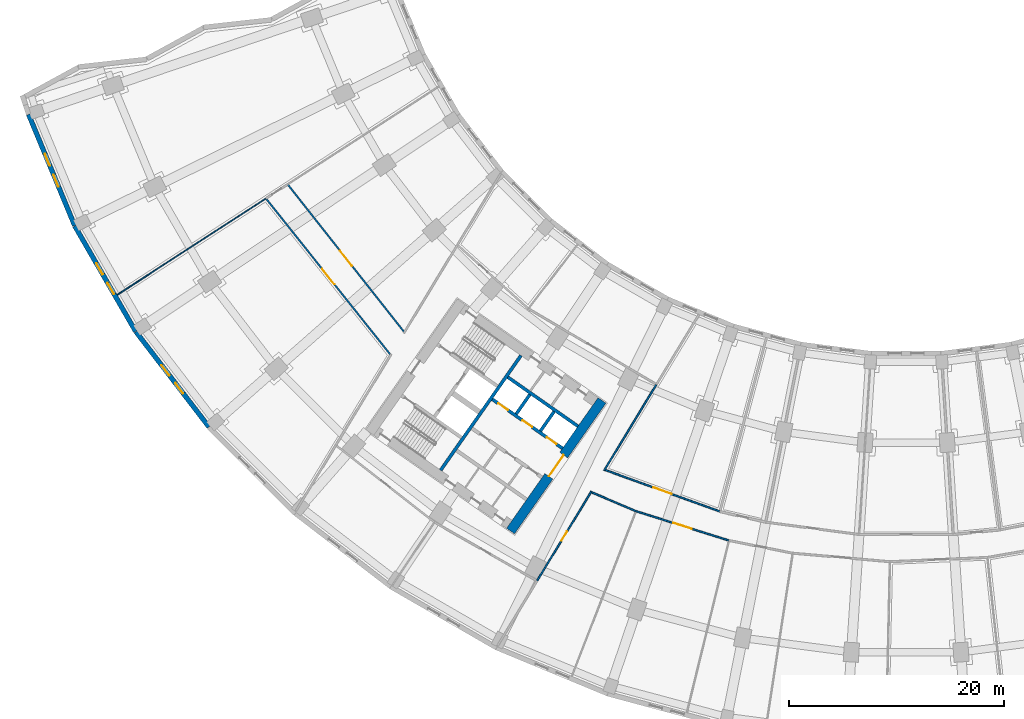
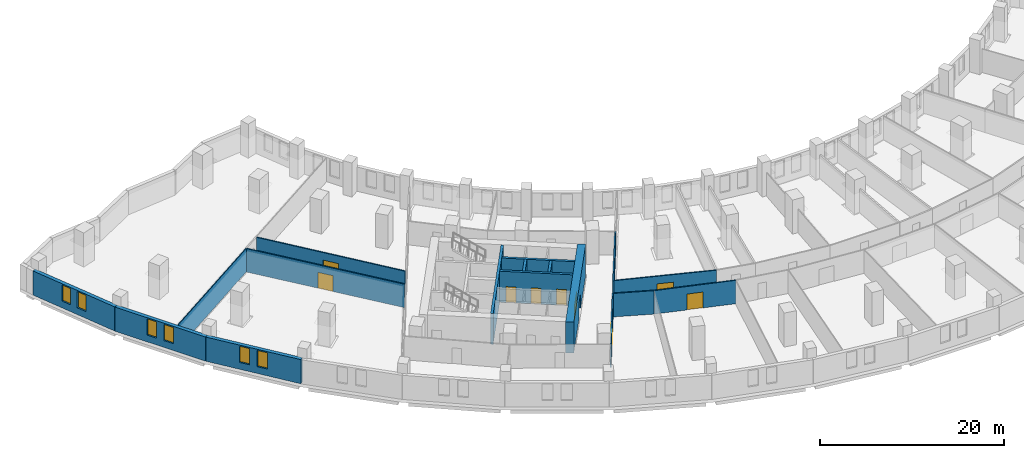
# One storey, part 6 of 20: 17 walls, 9 doors, 6 windows, 15 openings.
"""IFC4 building model written with IfcOpenShell, lengths in metres."""

from ifc_helpers import new_model, si_unit, direction, frame, frame_2d, origin, place, context, subcontext, project, spatial, rectangle, extrude, material, layer, layer_set, type_object, element, fill, save


model = new_model("IFC4")

# Units and contexts
model_context = context("Model", 3, precision=1e-05, world=origin(), true_north=direction((0.0, 1.0)))
body_context = subcontext(model_context, "Body", "Model", "MODEL_VIEW")
ifc_project = project(units=[si_unit("LENGTHUNIT", "METRE"), si_unit("AREAUNIT", "SQUARE_METRE"), si_unit("VOLUMEUNIT", "CUBIC_METRE"), si_unit("PLANEANGLEUNIT", "RADIAN"), si_unit("MASSUNIT", "GRAM", prefix="KILO")], contexts=[model_context])

# Site, building, storey
site_placement = place(None, origin())
site = spatial("IfcSite", under=ifc_project, at=site_placement, CompositionType="ELEMENT")
building_placement = place(site_placement, origin())
building = spatial("IfcBuilding", under=site, at=building_placement, Name="Qamariyya Broadcast Tower", CompositionType="ELEMENT")
storey_placement = place(building_placement, frame((0.0, 0.0, 31.5)))
storey = spatial("IfcBuildingStorey", under=building, at=storey_placement, Name="L04", CompositionType="ELEMENT", Elevation=31.5)

# Wall, opening, door
ifc_material_1 = material(Name="Concrete C70/85", Category="concrete")
ifc_layer_1 = layer(ifc_material_1, 0.89990234375)
ifc_layer_set_1 = layer_set([ifc_layer_1], Name="Core wall 900 mm Concrete C70/85")
wall_type_1 = type_object("IfcWallType", Name="Core wall 900 mm Concrete C70/85", PredefinedType="SHEAR", material=ifc_layer_set_1)
wall_1_placement = place(storey_placement, frame((-36.716796875, -66.3369140625, 0.0), z_axis=(0.0, 0.0, 1.0), x_axis=(0.573577477574, 0.819151315216, 0.0)))
wall_1 = element("IfcWall", 1, at=wall_1_placement, inside=storey, type_object=wall_type_1, Name="k-W-L04-WA", PredefinedType="SHEAR", context=body_context, shape_type="SweptSolid", body=[
    extrude(rectangle(XDim=14.800048828125, YDim=0.89990234375, at=frame_2d((7.39990234375, 0.0))), origin(), (0.0, 0.0, 1.0), 4.10009765625),
])
opening_1_placement = place(wall_1_placement, frame((6.199951171875, 0.0, 0.0)))
opening_1 = element("IfcOpeningElement", 2, at=opening_1_placement, cuts=wall_1, Name="Opening KD3-W1", PredefinedType="OPENING", context=body_context, shape_type="SweptSolid", body=[
    extrude(rectangle(XDim=2.39990234375, YDim=2.10009765625, at=frame_2d((1.199951171875, 1.050048828125))), frame((0.0, 0.4599609375, 0.0), z_axis=(0.0, -1.0, 0.0), x_axis=(1.0, 0.0, 0.0)), (0.0, 0.0, 1.0), 0.919921875),
])
ifc_material_2 = material(Name="Steel fire-resisting door leaf", Category="steel")
door_type_1 = type_object("IfcDoorType", Name="Lift lobby door KD3", OperationType="DOUBLE_DOOR_SINGLE_SWING", PredefinedType="DOOR", material=ifc_material_2)
door_1_placement = place(opening_1_placement, origin())
door_1 = element("IfcDoor", 3, at=door_1_placement, inside=storey, type_object=door_type_1, Name="k-W-L04-WA-D1", OperationType="DOUBLE_DOOR_SINGLE_SWING", OverallHeight=2.10009765625, OverallWidth=2.39990234375, PredefinedType="DOOR", context=body_context, shape_type="SweptSolid", body=[
    extrude(rectangle(XDim=2.39990234375, YDim=2.10009765625, at=frame_2d((1.199951171875, 1.050048828125))), frame((0.0, 0.02490234375, 0.0), z_axis=(0.0, -1.0, 0.0), x_axis=(1.0, 0.0, 0.0)), (0.0, 0.0, 1.0), 0.050048828125),
])
fill(opening_1, door_1)

ifc_material_3 = material(Name="Gypsum board partition")
ifc_layer_2 = layer(ifc_material_3, 0.14990234375)
ifc_layer_set_2 = layer_set([ifc_layer_2], Name="Corridor partition 150 EI 60")
wall_type_2 = type_object("IfcWallType", Name="Corridor partition 150 EI 60", PredefinedType="PARTITIONING", material=ifc_layer_set_2)
wall_2_placement = place(storey_placement, frame((-47.893310546875, -49.934814453125, 0.0), z_axis=(0.0, 0.0, 1.0), x_axis=(-0.623151769875, 0.782100934472, 0.0)))
wall_2 = element("IfcWall", 4, at=wall_2_placement, inside=storey, type_object=wall_type_2, Name="Partition L04-007", PredefinedType="PARTITIONING", context=body_context, shape_type="SweptSolid", body=[
    extrude(rectangle(XDim=18.41943359375, YDim=0.14990234375, at=frame_2d((9.209716796875, 0.0))), origin(), (0.0, 0.0, 1.0), 3.10009765625),
])
opening_2_placement = place(wall_2_placement, frame((8.3095703125, 0.0, 0.0)))
opening_2 = element("IfcOpeningElement", 5, at=opening_2_placement, cuts=wall_2, Name="Opening L04-D20", PredefinedType="OPENING", context=body_context, shape_type="SweptSolid", body=[
    extrude(rectangle(XDim=1.800048828125, YDim=2.10009765625, at=frame_2d((0.89990234375, 1.050048828125))), frame((0.0, 0.0849609375, 0.0), z_axis=(0.0, -1.0, 0.0), x_axis=(1.0, 0.0, 0.0)), (0.0, 0.0, 1.0), 0.169921875),
])
ifc_material_4 = material(Name="Timber fire door leaf", Category="wood")
door_type_2 = type_object("IfcDoorType", Name="Double fire door 1800 x 2100 FD60", OperationType="NOTDEFINED", PredefinedType="DOOR", material=ifc_material_4)
door_2_placement = place(opening_2_placement, origin())
door_2 = element("IfcDoor", 6, at=door_2_placement, inside=storey, type_object=door_type_2, Name="Door L04-D20", OperationType="DOUBLE_DOOR_SINGLE_SWING", OverallHeight=2.10009765625, OverallWidth=1.800048828125, PredefinedType="DOOR", context=body_context, shape_type="SweptSolid", body=[
    extrude(rectangle(XDim=1.800048828125, YDim=2.10009765625, at=frame_2d((0.89990234375, 1.050048828125))), frame((0.0, 0.02490234375, 0.0), z_axis=(0.0, -1.0, 0.0), x_axis=(1.0, 0.0, 0.0)), (0.0, 0.0, 1.0), 0.050048828125),
])
fill(opening_2, door_2)

wall_3_placement = place(storey_placement, frame((-57.356201171875, -34.22265625, 0.0), z_axis=(0.0, 0.0, 1.0), x_axis=(0.619510500346, -0.784988369316, 0.0)))
wall_3 = element("IfcWall", 7, at=wall_3_placement, inside=storey, type_object=wall_type_2, Name="Partition L04-009", PredefinedType="PARTITIONING", context=body_context, shape_type="SweptSolid", body=[
    extrude(rectangle(XDim=17.337158203125, YDim=0.14990234375, at=frame_2d((8.66845703125, 0.0))), origin(), (0.0, 0.0, 1.0), 3.10009765625),
])
opening_3_placement = place(wall_3_placement, frame((7.7685546875, 0.0, 0.0)))
opening_3 = element("IfcOpeningElement", 8, at=opening_3_placement, cuts=wall_3, Name="Opening L04-D19", PredefinedType="OPENING", context=body_context, shape_type="SweptSolid", body=[
    extrude(rectangle(XDim=1.800048828125, YDim=2.10009765625, at=frame_2d((0.89990234375, 1.050048828125))), frame((0.0, 0.0849609375, 0.0), z_axis=(0.0, -1.0, 0.0), x_axis=(1.0, 0.0, 0.0)), (0.0, 0.0, 1.0), 0.169921875),
])
door_3_placement = place(opening_3_placement, origin())
door_3 = element("IfcDoor", 9, at=door_3_placement, inside=storey, type_object=door_type_2, Name="Door L04-D19", OperationType="DOUBLE_DOOR_SINGLE_SWING", OverallHeight=2.10009765625, OverallWidth=1.800048828125, PredefinedType="DOOR", context=body_context, shape_type="SweptSolid", body=[
    extrude(rectangle(XDim=1.800048828125, YDim=2.10009765625, at=frame_2d((0.89990234375, 1.050048828125))), frame((0.0, 0.02490234375, 0.0), z_axis=(0.0, -1.0, 0.0), x_axis=(1.0, 0.0, 0.0)), (0.0, 0.0, 1.0), 0.050048828125),
])
fill(opening_3, door_3)

wall_4_placement = place(storey_placement, frame((-29.20654296875, -62.65234375, 0.0), z_axis=(0.0, 0.0, 1.0), x_axis=(-0.519573423316, -0.854425805897, 0.0)))
wall_4 = element("IfcWall", 10, at=wall_4_placement, inside=storey, type_object=wall_type_2, Name="Partition L04-018", PredefinedType="PARTITIONING", context=body_context, shape_type="SweptSolid", body=[
    extrude(rectangle(XDim=9.72607421875, YDim=0.14990234375, at=frame_2d((4.863037109375, 0.0))), origin(), (0.0, 0.0, 1.0), 3.10009765625),
])
opening_4_placement = place(wall_4_placement, frame((4.363037109375, 0.0, 0.0)))
opening_4 = element("IfcOpeningElement", 11, at=opening_4_placement, cuts=wall_4, Name="Opening L04-D01", PredefinedType="OPENING", context=body_context, shape_type="SweptSolid", body=[
    extrude(rectangle(XDim=1.0, YDim=2.10009765625, at=frame_2d((0.5, 1.050048828125))), frame((0.0, 0.0849609375, 0.0), z_axis=(0.0, -1.0, 0.0), x_axis=(1.0, 0.0, 0.0)), (0.0, 0.0, 1.0), 0.169921875),
])
door_type_3 = type_object("IfcDoorType", Name="Fire door 1000 x 2100 FD60", OperationType="NOTDEFINED", PredefinedType="DOOR", material=ifc_material_4)
door_4_placement = place(opening_4_placement, origin())
door_4 = element("IfcDoor", 12, at=door_4_placement, inside=storey, type_object=door_type_3, Name="Door L04-D01", OperationType="SINGLE_SWING_RIGHT", OverallHeight=2.10009765625, OverallWidth=1.0, PredefinedType="DOOR", context=body_context, shape_type="SweptSolid", body=[
    extrude(rectangle(XDim=1.0, YDim=2.10009765625, at=frame_2d((0.5, 1.050048828125))), frame((0.0, 0.02490234375, 0.0), z_axis=(0.0, -1.0, 0.0), x_axis=(1.0, 0.0, 0.0)), (0.0, 0.0, 1.0), 0.050048828125),
])
fill(opening_4, door_4)

# Wall
wall_5_placement = place(storey_placement, frame((-29.176513671875, -62.745849609375, 0.0), z_axis=(0.0, 0.0, 1.0), x_axis=(0.91966288709, -0.392708765001, 0.0)))
element("IfcWall", 13, at=wall_5_placement, inside=storey, type_object=wall_type_2, Name="Partition L04-019", PredefinedType="PARTITIONING", context=body_context, shape_type="SweptSolid", body=[
    extrude(rectangle(XDim=4.45556640625, YDim=0.14990234375, at=frame_2d((2.227783203125, 0.0))), origin(), (0.0, 0.0, 1.0), 3.10009765625),
])

# Wall, opening, door
wall_6_placement = place(storey_placement, frame((-27.919921875, -60.678466796875, 0.0), z_axis=(0.0, 0.0, 1.0), x_axis=(0.940369024046, -0.340155991589, 0.0)))
wall_6 = element("IfcWall", 14, at=wall_6_placement, inside=storey, type_object=wall_type_2, Name="Partition L04-020", PredefinedType="PARTITIONING", context=body_context, shape_type="SweptSolid", body=[
    extrude(rectangle(XDim=11.304931640625, YDim=0.14990234375, at=frame_2d((5.65234375, 0.0))), origin(), (0.0, 0.0, 1.0), 3.10009765625),
])
opening_5_placement = place(wall_6_placement, frame((4.75244140625, 0.0, 0.0)))
opening_5 = element("IfcOpeningElement", 15, at=opening_5_placement, cuts=wall_6, Name="Opening L04-D08", PredefinedType="OPENING", context=body_context, shape_type="SweptSolid", body=[
    extrude(rectangle(XDim=1.800048828125, YDim=2.10009765625, at=frame_2d((0.89990234375, 1.050048828125))), frame((0.0, 0.0849609375, 0.0), z_axis=(0.0, -1.0, 0.0), x_axis=(1.0, 0.0, 0.0)), (0.0, 0.0, 1.0), 0.169921875),
])
door_5_placement = place(opening_5_placement, origin())
door_5 = element("IfcDoor", 16, at=door_5_placement, inside=storey, type_object=door_type_2, Name="Door L04-D08", OperationType="DOUBLE_DOOR_SINGLE_SWING", OverallHeight=2.10009765625, OverallWidth=1.800048828125, PredefinedType="DOOR", context=body_context, shape_type="SweptSolid", body=[
    extrude(rectangle(XDim=1.800048828125, YDim=2.10009765625, at=frame_2d((0.89990234375, 1.050048828125))), frame((0.0, 0.02490234375, 0.0), z_axis=(0.0, -1.0, 0.0), x_axis=(1.0, 0.0, 0.0)), (0.0, 0.0, 1.0), 0.050048828125),
])
fill(opening_5, door_5)

wall_7_placement = place(storey_placement, frame((-16.446044921875, -67.21728515625, 0.0), z_axis=(0.0, 0.0, 1.0), x_axis=(-0.953724416281, 0.300682120834, 0.0)))
wall_7 = element("IfcWall", 17, at=wall_7_placement, inside=storey, type_object=wall_type_2, Name="Partition L04-021", PredefinedType="PARTITIONING", context=body_context, shape_type="SweptSolid", body=[
    extrude(rectangle(XDim=9.0517578125, YDim=0.14990234375, at=frame_2d((4.52587890625, 0.0))), origin(), (0.0, 0.0, 1.0), 3.10009765625),
])
opening_6_placement = place(wall_7_placement, frame((3.6259765625, 0.0, 0.0)))
opening_6 = element("IfcOpeningElement", 18, at=opening_6_placement, cuts=wall_7, Name="Opening L04-D02", PredefinedType="OPENING", context=body_context, shape_type="SweptSolid", body=[
    extrude(rectangle(XDim=1.800048828125, YDim=2.10009765625, at=frame_2d((0.89990234375, 1.050048828125))), frame((0.0, 0.0849609375, 0.0), z_axis=(0.0, -1.0, 0.0), x_axis=(1.0, 0.0, 0.0)), (0.0, 0.0, 1.0), 0.169921875),
])
door_6_placement = place(opening_6_placement, origin())
door_6 = element("IfcDoor", 19, at=door_6_placement, inside=storey, type_object=door_type_2, Name="Door L04-D02", OperationType="DOUBLE_DOOR_SINGLE_SWING", OverallHeight=2.10009765625, OverallWidth=1.800048828125, PredefinedType="DOOR", context=body_context, shape_type="SweptSolid", body=[
    extrude(rectangle(XDim=1.800048828125, YDim=2.10009765625, at=frame_2d((0.89990234375, 1.050048828125))), frame((0.0, 0.02490234375, 0.0), z_axis=(0.0, -1.0, 0.0), x_axis=(1.0, 0.0, 0.0)), (0.0, 0.0, 1.0), 0.050048828125),
])
fill(opening_6, door_6)

# Walls
wall_8_placement = place(storey_placement, frame((-23.174072265625, -52.732421875, 0.0), z_axis=(0.0, 0.0, 1.0), x_axis=(-0.519577254173, -0.854423476355, 0.0)))
element("IfcWall", 20, at=wall_8_placement, inside=storey, type_object=wall_type_2, Name="Partition L04-022", PredefinedType="PARTITIONING", context=body_context, shape_type="SweptSolid", body=[
    extrude(rectangle(XDim=9.344970703125, YDim=0.14990234375, at=frame_2d((4.67236328125, 0.0))), origin(), (0.0, 0.0, 1.0), 3.10009765625),
])
ifc_material_5 = material(Name="Concrete C60/75", Category="concrete")
ifc_layer_3 = layer(ifc_material_5, 0.300048828125)
ifc_layer_set_3 = layer_set([ifc_layer_3], Name="Lift shaft wall 300 mm Concrete C60/75")
wall_type_3 = type_object("IfcWallType", Name="Lift shaft wall 300 mm Concrete C60/75", PredefinedType="SOLIDWALL", material=ifc_layer_set_3)
wall_9_placement = place(storey_placement, frame((-43.204345703125, -60.69580078125, 0.0), z_axis=(0.0, 0.0, 1.0), x_axis=(0.573571992966, 0.819155155563, 0.0)))
element("IfcWall", 21, at=wall_9_placement, inside=storey, type_object=wall_type_3, Name="k-W-L04-WL", PredefinedType="SOLIDWALL", context=body_context, shape_type="SweptSolid", body=[
    extrude(rectangle(XDim=13.000244140625, YDim=0.300048828125, at=frame_2d((6.5, 0.0))), origin(), (0.0, 0.0, 1.0), 4.10009765625),
])

# Wall, openings, doors
wall_10_placement = place(storey_placement, frame((-31.89453125, -58.66552734375, 0.0), z_axis=(0.0, 0.0, 1.0), x_axis=(-0.819166993208, 0.573555086491, 0.0)))
wall_10 = element("IfcWall", 22, at=wall_10_placement, inside=storey, type_object=wall_type_3, Name="k-W-L04-NF0", PredefinedType="SOLIDWALL", context=body_context, shape_type="SweptSolid", body=[
    extrude(rectangle(XDim=7.9501953125, YDim=0.300048828125, at=frame_2d((3.97509765625, 0.0))), origin(), (0.0, 0.0, 1.0), 4.10009765625),
])
opening_7_placement = place(wall_10_placement, frame((0.675048828125, 0.0, 0.0)))
opening_7 = element("IfcOpeningElement", 23, at=opening_7_placement, cuts=wall_10, Name="Opening LD", PredefinedType="OPENING", context=body_context, shape_type="SweptSolid", body=[
    extrude(rectangle(XDim=1.10009765625, YDim=2.10009765625, at=frame_2d((0.550048828125, 1.050048828125))), frame((0.0, 0.159912109375, 0.0), z_axis=(0.0, -1.0, 0.0), x_axis=(1.0, 0.0, 0.0)), (0.0, 0.0, 1.0), 0.320068359375),
])
opening_8_placement = place(wall_10_placement, frame((3.425048828125, 0.0, 0.0)))
opening_8 = element("IfcOpeningElement", 24, at=opening_8_placement, cuts=wall_10, Name="Opening LD", PredefinedType="OPENING", context=body_context, shape_type="SweptSolid", body=[
    extrude(rectangle(XDim=1.10009765625, YDim=2.10009765625, at=frame_2d((0.550048828125, 1.050048828125))), frame((0.0, 0.159912109375, 0.0), z_axis=(0.0, -1.0, 0.0), x_axis=(1.0, 0.0, 0.0)), (0.0, 0.0, 1.0), 0.320068359375),
])
opening_9_placement = place(wall_10_placement, frame((6.175048828125, 0.0, 0.0)))
opening_9 = element("IfcOpeningElement", 25, at=opening_9_placement, cuts=wall_10, Name="Opening LD", PredefinedType="OPENING", context=body_context, shape_type="SweptSolid", body=[
    extrude(rectangle(XDim=1.10009765625, YDim=2.10009765625, at=frame_2d((0.550048828125, 1.050048828125))), frame((0.0, 0.159912109375, 0.0), z_axis=(0.0, -1.0, 0.0), x_axis=(1.0, 0.0, 0.0)), (0.0, 0.0, 1.0), 0.320068359375),
])
door_type_4 = type_object("IfcDoorType", Name="Lift landing door LD", OperationType="DOUBLE_DOOR_SLIDING", PredefinedType="DOOR", material=ifc_material_2)
door_7_placement = place(opening_7_placement, origin())
door_7 = element("IfcDoor", 26, at=door_7_placement, inside=storey, type_object=door_type_4, Name="k-W-L04-NF0-D2", OperationType="DOUBLE_DOOR_SLIDING", OverallHeight=2.10009765625, OverallWidth=1.10009765625, PredefinedType="DOOR", context=body_context, shape_type="SweptSolid", body=[
    extrude(rectangle(XDim=1.10009765625, YDim=2.10009765625, at=frame_2d((0.550048828125, 1.050048828125))), frame((0.0, 0.02490234375, 0.0), z_axis=(0.0, -1.0, 0.0), x_axis=(1.0, 0.0, 0.0)), (0.0, 0.0, 1.0), 0.050048828125),
])
fill(opening_7, door_7)
door_8_placement = place(opening_8_placement, origin())
door_8 = element("IfcDoor", 27, at=door_8_placement, inside=storey, type_object=door_type_4, Name="k-W-L04-NF0-D3", OperationType="DOUBLE_DOOR_SLIDING", OverallHeight=2.10009765625, OverallWidth=1.10009765625, PredefinedType="DOOR", context=body_context, shape_type="SweptSolid", body=[
    extrude(rectangle(XDim=1.10009765625, YDim=2.10009765625, at=frame_2d((0.550048828125, 1.050048828125))), frame((0.0, 0.02490234375, 0.0), z_axis=(0.0, -1.0, 0.0), x_axis=(1.0, 0.0, 0.0)), (0.0, 0.0, 1.0), 0.050048828125),
])
fill(opening_8, door_8)
door_9_placement = place(opening_9_placement, origin())
door_9 = element("IfcDoor", 28, at=door_9_placement, inside=storey, type_object=door_type_4, Name="k-W-L04-NF0-D4", OperationType="DOUBLE_DOOR_SLIDING", OverallHeight=2.10009765625, OverallWidth=1.10009765625, PredefinedType="DOOR", context=body_context, shape_type="SweptSolid", body=[
    extrude(rectangle(XDim=1.10009765625, YDim=2.10009765625, at=frame_2d((0.550048828125, 1.050048828125))), frame((0.0, 0.02490234375, 0.0), z_axis=(0.0, -1.0, 0.0), x_axis=(1.0, 0.0, 0.0)), (0.0, 0.0, 1.0), 0.050048828125),
])
fill(opening_9, door_9)

# Walls
wall_11_placement = place(storey_placement, frame((-30.460693359375, -56.61767578125, 0.0), z_axis=(0.0, 0.0, 1.0), x_axis=(-0.819142461705, 0.573590121456, 0.0)))
element("IfcWall", 29, at=wall_11_placement, inside=storey, type_object=wall_type_3, Name="k-W-L04-NB0", PredefinedType="SOLIDWALL", context=body_context, shape_type="SweptSolid", body=[
    extrude(rectangle(XDim=7.949951171875, YDim=0.300048828125, at=frame_2d((3.97509765625, 0.0))), origin(), (0.0, 0.0, 1.0), 4.10009765625),
])
wall_12_placement = place(storey_placement, frame((-33.9384765625, -57.051513671875, 0.0), z_axis=(0.0, 0.0, 1.0), x_axis=(0.573581496053, 0.819148501424, 0.0)))
element("IfcWall", 30, at=wall_12_placement, inside=storey, type_object=wall_type_3, Name="k-W-L04-ND0", PredefinedType="SOLIDWALL", context=body_context, shape_type="SweptSolid", body=[
    extrude(rectangle(XDim=2.2001953125, YDim=0.300048828125, at=frame_2d((1.10009765625, 0.0))), origin(), (0.0, 0.0, 1.0), 4.10009765625),
])
wall_13_placement = place(storey_placement, frame((-36.19091796875, -55.47412109375, 0.0), z_axis=(0.0, 0.0, 1.0), x_axis=(0.573507030513, 0.819200638399, 0.0)))
element("IfcWall", 31, at=wall_13_placement, inside=storey, type_object=wall_type_3, Name="k-W-L04-ND1", PredefinedType="SOLIDWALL", context=body_context, shape_type="SweptSolid", body=[
    extrude(rectangle(XDim=2.199951171875, YDim=0.300048828125, at=frame_2d((1.10009765625, 0.0))), origin(), (0.0, 0.0, 1.0), 4.10009765625),
])
ifc_layer_4 = layer(ifc_material_3, 0.10009765625)
ifc_layer_set_4 = layer_set([ifc_layer_4], Name="Partition 100")
wall_type_4 = type_object("IfcWallType", Name="Partition 100", PredefinedType="PARTITIONING", material=ifc_layer_set_4)
wall_14_placement = place(storey_placement, frame((-73.217041015625, -44.416259765625, 0.0), z_axis=(0.0, 0.0, 1.0), x_axis=(0.839098650594, 0.543979277703, 0.0)))
element("IfcWall", 32, at=wall_14_placement, inside=storey, type_object=wall_type_4, Name="Partition L04-001", PredefinedType="PARTITIONING", context=body_context, shape_type="SweptSolid", body=[
    extrude(rectangle(XDim=16.445068359375, YDim=0.10009765625, at=frame_2d((8.22265625, 0.0))), origin(), (0.0, 0.0, 1.0), 3.10009765625),
])

# Wall, openings, windows
ifc_material_6 = material(Name="Precast concrete C40/50 with terracotta facing", Category="masonry")
ifc_layer_5 = layer(ifc_material_6, 0.449951171875)
ifc_layer_set_5 = layer_set([ifc_layer_5], Name="Precast concrete C40/50 wall 450, terracotta faced")
wall_type_5 = type_object("IfcWallType", Name="Precast concrete C40/50 wall 450, terracotta faced", PredefinedType="SOLIDWALL", material=ifc_layer_set_5)
wall_15_placement = place(storey_placement, frame((-81.449462890625, -27.675537109375, 0.0), z_axis=(0.0, 0.0, 1.0), x_axis=(0.382700611107, -0.923872416656, 0.0)))
wall_15 = element("IfcWall", 33, at=wall_15_placement, inside=storey, type_object=wall_type_5, Name="e-wl-L04-out10", PredefinedType="SOLIDWALL", context=body_context, shape_type="SweptSolid", body=[
    extrude(rectangle(XDim=11.167724609375, YDim=0.449951171875, at=frame_2d((5.583984375, 0.0))), origin(), (0.0, 0.0, 1.0), 3.199951171875),
])
opening_10_placement = place(wall_15_placement, frame((3.95068359375, 0.0, 0.89990234375)))
opening_10 = element("IfcOpeningElement", 34, at=opening_10_placement, cuts=wall_15, Name="Opening W3", PredefinedType="OPENING", context=body_context, shape_type="SweptSolid", body=[
    extrude(rectangle(XDim=1.199951171875, YDim=2.14990234375, at=frame_2d((0.60009765625, 1.074951171875))), frame((0.0, 0.23486328125, 0.0), z_axis=(0.0, -1.0, 0.0), x_axis=(1.0, 0.0, 0.0)), (0.0, 0.0, 1.0), 0.469970703125),
])
opening_11_placement = place(wall_15_placement, frame((6.050537109375, 0.0, 0.89990234375)))
opening_11 = element("IfcOpeningElement", 35, at=opening_11_placement, cuts=wall_15, Name="Opening W3", PredefinedType="OPENING", context=body_context, shape_type="SweptSolid", body=[
    extrude(rectangle(XDim=1.199951171875, YDim=2.14990234375, at=frame_2d((0.60009765625, 1.074951171875))), frame((0.0, 0.23486328125, 0.0), z_axis=(0.0, -1.0, 0.0), x_axis=(1.0, 0.0, 0.0)), (0.0, 0.0, 1.0), 0.469970703125),
])
ifc_material_7 = material(Name="Clear low-e double glazed unit in aluminium frame", Category="aluminium")
window_type = type_object("IfcWindowType", Name="Podium window 1200 x 2150", PartitioningType="SINGLE_PANEL", PredefinedType="WINDOW", material=ifc_material_7)
window_1_placement = place(opening_10_placement, origin())
window_1 = element("IfcWindow", 36, at=window_1_placement, inside=storey, type_object=window_type, Name="e-w-L04-out01a", OverallHeight=2.14990234375, OverallWidth=1.199951171875, PartitioningType="SINGLE_PANEL", PredefinedType="WINDOW", context=body_context, shape_type="SweptSolid", body=[
    extrude(rectangle(XDim=1.199951171875, YDim=2.14990234375, at=frame_2d((0.60009765625, 1.074951171875))), frame((0.0, 0.030029296875, 0.0), z_axis=(0.0, -1.0, 0.0), x_axis=(1.0, 0.0, 0.0)), (0.0, 0.0, 1.0), 0.06005859375),
])
fill(opening_10, window_1)
window_2_placement = place(opening_11_placement, origin())
window_2 = element("IfcWindow", 37, at=window_2_placement, inside=storey, type_object=window_type, Name="e-w-L04-out01b", OverallHeight=2.14990234375, OverallWidth=1.199951171875, PartitioningType="SINGLE_PANEL", PredefinedType="WINDOW", context=body_context, shape_type="SweptSolid", body=[
    extrude(rectangle(XDim=1.199951171875, YDim=2.14990234375, at=frame_2d((0.60009765625, 1.074951171875))), frame((0.0, 0.030029296875, 0.0), z_axis=(0.0, -1.0, 0.0), x_axis=(1.0, 0.0, 0.0)), (0.0, 0.0, 1.0), 0.06005859375),
])
fill(opening_11, window_2)

wall_16_placement = place(storey_placement, frame((-77.16796875, -38.021728515625, 0.0), z_axis=(0.0, 0.0, 1.0), x_axis=(0.500001430823, -0.866024577697, 0.0)))
wall_16 = element("IfcWall", 38, at=wall_16_placement, inside=storey, type_object=wall_type_5, Name="e-wl-L04-out20", PredefinedType="SOLIDWALL", context=body_context, shape_type="SweptSolid", body=[
    extrude(rectangle(XDim=11.3125, YDim=0.449951171875, at=frame_2d((5.65625, 0.0))), origin(), (0.0, 0.0, 1.0), 3.199951171875),
])
opening_12_placement = place(wall_16_placement, frame((4.00634765625, 0.0, 0.89990234375)))
opening_12 = element("IfcOpeningElement", 39, at=opening_12_placement, cuts=wall_16, Name="Opening W3", PredefinedType="OPENING", context=body_context, shape_type="SweptSolid", body=[
    extrude(rectangle(XDim=1.199951171875, YDim=2.14990234375, at=frame_2d((0.60009765625, 1.074951171875))), frame((0.0, 0.23486328125, 0.0), z_axis=(0.0, -1.0, 0.0), x_axis=(1.0, 0.0, 0.0)), (0.0, 0.0, 1.0), 0.469970703125),
])
opening_13_placement = place(wall_16_placement, frame((6.106201171875, 0.0, 0.89990234375)))
opening_13 = element("IfcOpeningElement", 40, at=opening_13_placement, cuts=wall_16, Name="Opening W3", PredefinedType="OPENING", context=body_context, shape_type="SweptSolid", body=[
    extrude(rectangle(XDim=1.199951171875, YDim=2.14990234375, at=frame_2d((0.60009765625, 1.074951171875))), frame((0.0, 0.23486328125, 0.0), z_axis=(0.0, -1.0, 0.0), x_axis=(1.0, 0.0, 0.0)), (0.0, 0.0, 1.0), 0.469970703125),
])
window_3_placement = place(opening_12_placement, origin())
window_3 = element("IfcWindow", 41, at=window_3_placement, inside=storey, type_object=window_type, Name="e-w-L04-out02a", OverallHeight=2.14990234375, OverallWidth=1.199951171875, PartitioningType="SINGLE_PANEL", PredefinedType="WINDOW", context=body_context, shape_type="SweptSolid", body=[
    extrude(rectangle(XDim=1.199951171875, YDim=2.14990234375, at=frame_2d((0.60009765625, 1.074951171875))), frame((0.0, 0.030029296875, 0.0), z_axis=(0.0, -1.0, 0.0), x_axis=(1.0, 0.0, 0.0)), (0.0, 0.0, 1.0), 0.06005859375),
])
fill(opening_12, window_3)
window_4_placement = place(opening_13_placement, origin())
window_4 = element("IfcWindow", 42, at=window_4_placement, inside=storey, type_object=window_type, Name="e-w-L04-out02b", OverallHeight=2.14990234375, OverallWidth=1.199951171875, PartitioningType="SINGLE_PANEL", PredefinedType="WINDOW", context=body_context, shape_type="SweptSolid", body=[
    extrude(rectangle(XDim=1.199951171875, YDim=2.14990234375, at=frame_2d((0.60009765625, 1.074951171875))), frame((0.0, 0.030029296875, 0.0), z_axis=(0.0, -1.0, 0.0), x_axis=(1.0, 0.0, 0.0)), (0.0, 0.0, 1.0), 0.06005859375),
])
fill(opening_13, window_4)

wall_17_placement = place(storey_placement, frame((-71.490966796875, -47.83935546875, 0.0), z_axis=(0.0, 0.0, 1.0), x_axis=(0.608758773695, -0.793355377778, 0.0)))
wall_17 = element("IfcWall", 43, at=wall_17_placement, inside=storey, type_object=wall_type_5, Name="e-wl-L04-out30", PredefinedType="SOLIDWALL", context=body_context, shape_type="SweptSolid", body=[
    extrude(rectangle(XDim=11.134765625, YDim=0.449951171875, at=frame_2d((5.5673828125, 0.0))), origin(), (0.0, 0.0, 1.0), 3.199951171875),
])
opening_14_placement = place(wall_17_placement, frame((3.917236328125, 0.0, 0.89990234375)))
opening_14 = element("IfcOpeningElement", 44, at=opening_14_placement, cuts=wall_17, Name="Opening W3", PredefinedType="OPENING", context=body_context, shape_type="SweptSolid", body=[
    extrude(rectangle(XDim=1.199951171875, YDim=2.14990234375, at=frame_2d((0.60009765625, 1.074951171875))), frame((0.0, 0.23486328125, 0.0), z_axis=(0.0, -1.0, 0.0), x_axis=(1.0, 0.0, 0.0)), (0.0, 0.0, 1.0), 0.469970703125),
])
opening_15_placement = place(wall_17_placement, frame((6.017333984375, 0.0, 0.89990234375)))
opening_15 = element("IfcOpeningElement", 45, at=opening_15_placement, cuts=wall_17, Name="Opening W3", PredefinedType="OPENING", context=body_context, shape_type="SweptSolid", body=[
    extrude(rectangle(XDim=1.199951171875, YDim=2.14990234375, at=frame_2d((0.60009765625, 1.074951171875))), frame((0.0, 0.23486328125, 0.0), z_axis=(0.0, -1.0, 0.0), x_axis=(1.0, 0.0, 0.0)), (0.0, 0.0, 1.0), 0.469970703125),
])
window_5_placement = place(opening_14_placement, origin())
window_5 = element("IfcWindow", 46, at=window_5_placement, inside=storey, type_object=window_type, Name="e-w-L04-out03a", OverallHeight=2.14990234375, OverallWidth=1.199951171875, PartitioningType="SINGLE_PANEL", PredefinedType="WINDOW", context=body_context, shape_type="SweptSolid", body=[
    extrude(rectangle(XDim=1.199951171875, YDim=2.14990234375, at=frame_2d((0.60009765625, 1.074951171875))), frame((0.0, 0.030029296875, 0.0), z_axis=(0.0, -1.0, 0.0), x_axis=(1.0, 0.0, 0.0)), (0.0, 0.0, 1.0), 0.06005859375),
])
fill(opening_14, window_5)
window_6_placement = place(opening_15_placement, origin())
window_6 = element("IfcWindow", 47, at=window_6_placement, inside=storey, type_object=window_type, Name="e-w-L04-out03b", OverallHeight=2.14990234375, OverallWidth=1.199951171875, PartitioningType="SINGLE_PANEL", PredefinedType="WINDOW", context=body_context, shape_type="SweptSolid", body=[
    extrude(rectangle(XDim=1.199951171875, YDim=2.14990234375, at=frame_2d((0.60009765625, 1.074951171875))), frame((0.0, 0.030029296875, 0.0), z_axis=(0.0, -1.0, 0.0), x_axis=(1.0, 0.0, 0.0)), (0.0, 0.0, 1.0), 0.06005859375),
])
fill(opening_15, window_6)

save(model, "model.ifc")
